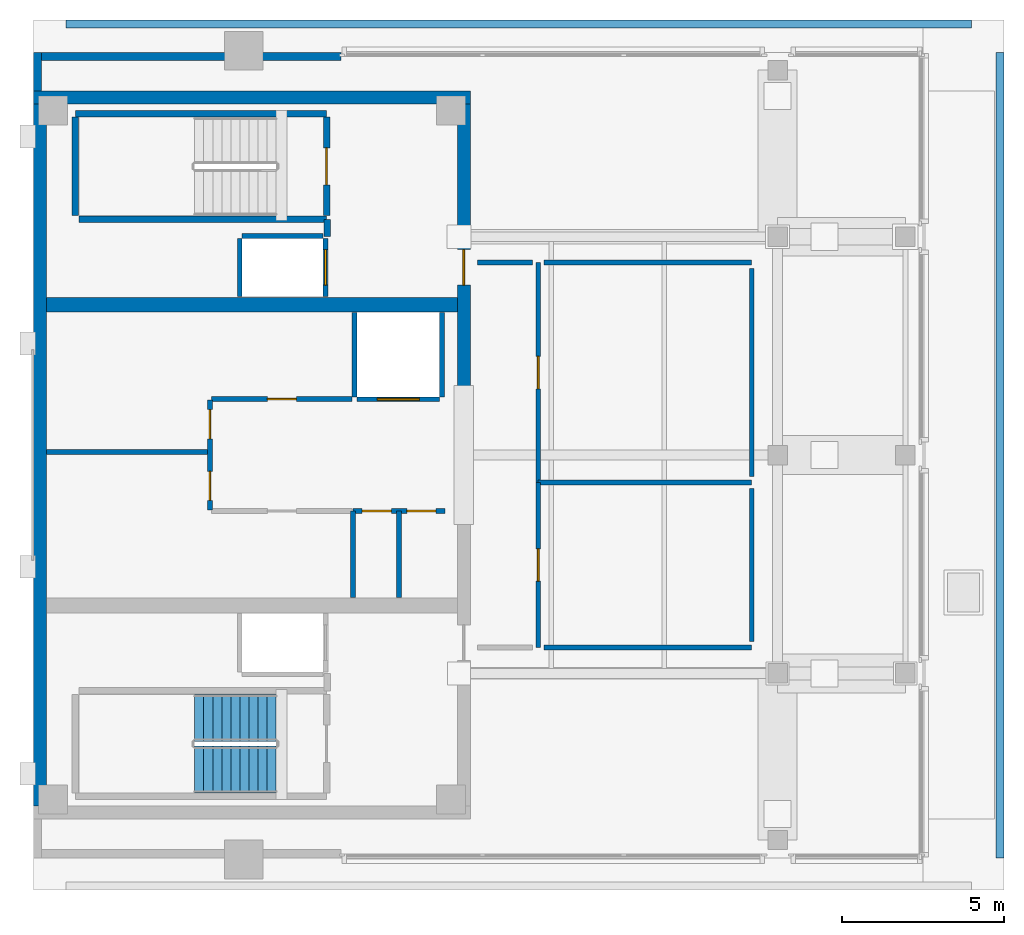
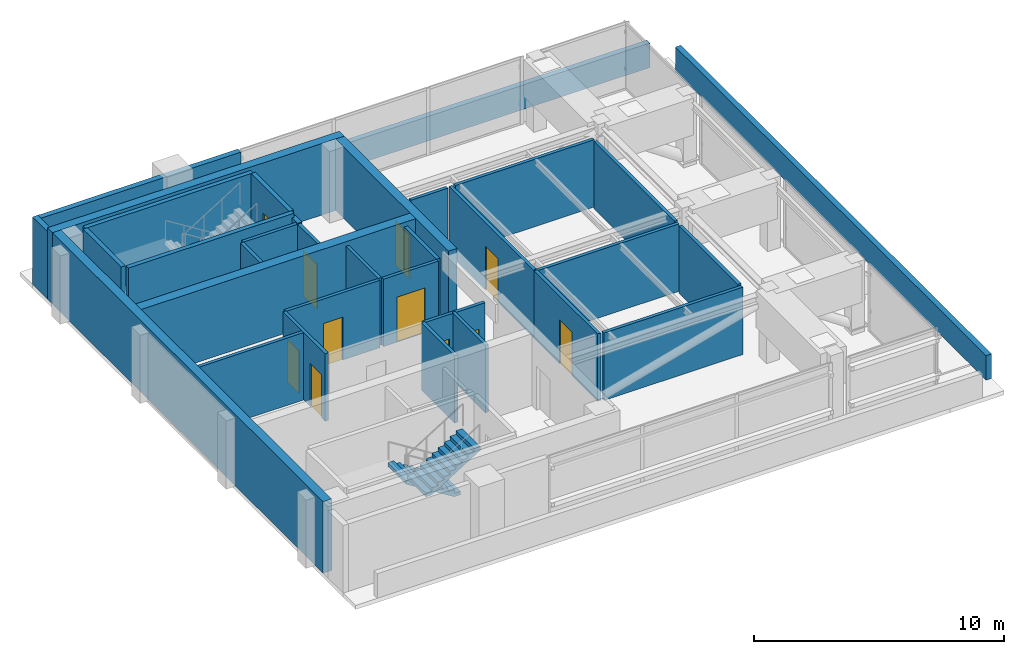
# One storey, part 5 of 9: 33 walls, 11 doors, 2 stair flights, 11 openings, 1 element without a shape of its own.
"""IFC4 building model written with IfcOpenShell, lengths in metres."""

from ifc_helpers import new_model, si_unit, direction, frame, frame_2d, origin, place, context, subcontext, project, spatial, polyline, rectangle, outline, extrude, material, layer, layer_set, type_object, element, fill, aggregate, save


model = new_model("IFC4")

# Units and contexts
model_context = context("Model", 3, precision=1e-05, world=origin(), true_north=direction((0.0, 1.0)))
body_context = subcontext(model_context, "Body", "Model", "MODEL_VIEW")
ifc_project = project(units=[si_unit("LENGTHUNIT", "METRE"), si_unit("AREAUNIT", "SQUARE_METRE"), si_unit("VOLUMEUNIT", "CUBIC_METRE"), si_unit("PLANEANGLEUNIT", "RADIAN"), si_unit("MASSUNIT", "GRAM", prefix="KILO")], contexts=[model_context])

# Site, building, storey
site_placement = place(None, origin())
site = spatial("IfcSite", under=ifc_project, at=site_placement, CompositionType="ELEMENT")
building_placement = place(site_placement, origin())
building = spatial("IfcBuilding", under=site, at=building_placement, Name="Kinhvarn Gate Tower", CompositionType="ELEMENT")
storey_placement = place(building_placement, frame((0.0, 0.0, 318.050048828125)))
storey = spatial("IfcBuildingStorey", under=building, at=storey_placement, Name="L84", CompositionType="ELEMENT", Elevation=318.050048828125)

# Wall
ifc_material_1 = material(Name="Concrete C50/60", Category="concrete")
ifc_layer_1 = layer(ifc_material_1, 0.39990234375)
ifc_layer_set_1 = layer_set([ifc_layer_1], Name="Concrete C50/60")
wall_type_1 = type_object("IfcWallType", Name="WL-CORE-400", PredefinedType="SHEAR", material=ifc_layer_set_1)
wall_1_placement = place(storey_placement, frame((4.5, 36.300048828125, 0.0), z_axis=(0.0, 0.0, 1.0), x_axis=(1.0, 0.0, 0.0)))
element("IfcWall", 1, at=wall_1_placement, inside=storey, type_object=wall_type_1, Name="Core North Shear Wall L84 400 mm", PredefinedType="SHEAR", context=body_context, shape_type="SweptSolid", body=[
    extrude(rectangle(XDim=13.5, YDim=0.39990234375, at=frame_2d((6.75, 0.0))), origin(), (0.0, 0.0, 1.0), 3.5),
])

# Wall, opening, door
wall_2_placement = place(storey_placement, frame((17.800048828125, 27.050048828125, 0.0), z_axis=(0.0, 0.0, 1.0), x_axis=(0.0, 1.0, 0.0)))
wall_2 = element("IfcWall", 2, at=wall_2_placement, inside=storey, type_object=wall_type_1, Name="Core East-North Shear Pier L84 400 mm", PredefinedType="SHEAR", context=body_context, shape_type="SweptSolid", body=[
    extrude(rectangle(XDim=9.050048828125, YDim=0.39990234375, at=frame_2d((4.52490234375, 0.0))), origin(), (0.0, 0.0, 1.0), 3.5),
])
opening_1_placement = place(wall_2_placement, frame((3.449951171875, 0.0, 0.0)))
opening_1 = element("IfcOpeningElement", 3, at=opening_1_placement, cuts=wall_2, Name="Opening FD-02", PredefinedType="OPENING", context=body_context, shape_type="SweptSolid", body=[
    extrude(rectangle(XDim=1.10009765625, YDim=2.14990234375, at=frame_2d((0.550048828125, 1.074951171875))), frame((0.0, 0.2099609375, 0.0), z_axis=(0.0, -1.0, 0.0), x_axis=(1.0, 0.0, 0.0)), (0.0, 0.0, 1.0), 0.419921875),
])
ifc_material_2 = material(Name="Anodised aluminium AW-6063", Category="aluminium")
door_type_1 = type_object("IfcDoorType", Name="DR-FD-1100", OperationType="NOTDEFINED", PredefinedType="DOOR", material=ifc_material_2)
door_1_placement = place(opening_1_placement, origin())
door_1 = element("IfcDoor", 4, at=door_1_placement, inside=storey, type_object=door_type_1, Name="Firefighting Lobby Core Door (L84)", OperationType="SINGLE_SWING_LEFT", OverallHeight=2.14990234375, OverallWidth=1.10009765625, PredefinedType="DOOR", context=body_context, shape_type="SweptSolid", body=[
    extrude(rectangle(XDim=1.10009765625, YDim=2.14990234375, at=frame_2d((0.550048828125, 1.074951171875))), frame((0.0, 0.02490234375, 0.0), z_axis=(0.0, -1.0, 0.0), x_axis=(1.0, 0.0, 0.0)), (0.0, 0.0, 1.0), 0.050048828125),
])
fill(opening_1, door_1)

# Walls
ifc_layer_2 = layer(ifc_material_1, 0.449951171875)
ifc_layer_set_2 = layer_set([ifc_layer_2], Name="Concrete C50/60")
wall_type_2 = type_object("IfcWallType", Name="WL-CORE-450", PredefinedType="SHEAR", material=ifc_layer_set_2)
wall_3_placement = place(storey_placement, frame((4.89990234375, 29.89990234375, 0.0), z_axis=(0.0, 0.0, 1.0), x_axis=(1.0, 0.0, 0.0)))
element("IfcWall", 5, at=wall_3_placement, inside=storey, type_object=wall_type_2, Name="Core North Spine Shear Wall L84 450 mm", PredefinedType="SHEAR", context=body_context, shape_type="SweptSolid", body=[
    extrude(rectangle(XDim=12.7001953125, YDim=0.449951171875, at=frame_2d((6.35009765625, 0.0))), origin(), (0.0, 0.0, 1.0), 3.5),
])
ifc_layer_3 = layer(ifc_material_1, 0.39990234375)
ifc_layer_set_3 = layer_set([ifc_layer_3], Name="Concrete C50/60")
wall_type_3 = type_object("IfcWallType", Name="WL-COREX-400", PredefinedType="SHEAR", material=ifc_layer_set_3)
wall_4_placement = place(storey_placement, frame((4.699951171875, 14.39990234375, 0.0), z_axis=(0.0, 0.0, 1.0), x_axis=(0.0, 1.0, 0.0)))
element("IfcWall", 6, at=wall_4_placement, inside=storey, type_object=wall_type_3, Name="Core West Shear Wall L84 400 mm", PredefinedType="SHEAR", context=body_context, shape_type="SweptSolid", body=[
    extrude(rectangle(XDim=21.7001953125, YDim=0.39990234375, at=frame_2d((10.85009765625, 0.0))), origin(), (0.0, 0.0, 1.0), 3.5),
])
ifc_material_3 = material(Name="Fired architectural terracotta", Category="masonry")
ifc_layer_4 = layer(ifc_material_3, 0.25)
ifc_layer_set_4 = layer_set([ifc_layer_4], Name="Fired architectural terracotta")
wall_type_4 = type_object("IfcWallType", Name="WL-EXT-250", PredefinedType="SOLIDWALL", material=ifc_layer_set_4)
wall_5_placement = place(storey_placement, frame((4.625, 37.699951171875, 0.0), z_axis=(0.0, 0.0, 1.0), x_axis=(0.0, -1.0, 0.0)))
element("IfcWall", 7, at=wall_5_placement, inside=storey, type_object=wall_type_4, Name="Exterior Solidwall Wall EW-250 (L84 West-North)", PredefinedType="SOLIDWALL", context=body_context, shape_type="SweptSolid", body=[
    extrude(rectangle(XDim=1.199951171875, YDim=0.25, at=frame_2d((0.60009765625, 0.0))), origin(), (0.0, 0.0, 1.0), 3.300048828125),
])
wall_6_placement = place(storey_placement, frame((14.0, 37.574951171875, 0.0), z_axis=(0.0, 0.0, 1.0), x_axis=(-1.0, 0.0, 0.0)))
element("IfcWall", 8, at=wall_6_placement, inside=storey, type_object=wall_type_4, Name="Exterior Solidwall Wall EW-250 (L84 Crown-Core-N)", PredefinedType="SOLIDWALL", context=body_context, shape_type="SweptSolid", body=[
    extrude(rectangle(XDim=9.5, YDim=0.25, at=frame_2d((4.75, 0.0))), origin(), (0.0, 0.0, 1.0), 3.300048828125),
])
ifc_layer_5 = layer(ifc_material_3, 0.25)
ifc_layer_set_5 = layer_set([ifc_layer_5], Name="Fired architectural terracotta")
wall_type_5 = type_object("IfcWallType", Name="WL-PAR-250", PredefinedType="PARAPET", material=ifc_layer_set_5)
wall_7_placement = place(storey_placement, frame((34.375, 12.800048828125, 0.0), z_axis=(0.0, 0.0, 1.0), x_axis=(0.0, 1.0, 0.0)))
element("IfcWall", 9, at=wall_7_placement, inside=storey, type_object=wall_type_5, Name="Exterior Parapet Wall PRW-250 (L84 Crown-Step-Parapet-E)", PredefinedType="PARAPET", context=body_context, shape_type="SweptSolid", body=[
    extrude(rectangle(XDim=24.89990234375, YDim=0.25, at=frame_2d((12.449951171875, 0.0))), origin(), (0.0, 0.0, 1.0), 1.199951171875),
])
wall_8_placement = place(storey_placement, frame((33.5, 38.574951171875, 0.0), z_axis=(0.0, 0.0, 1.0), x_axis=(-1.0, 0.0, 0.0)))
element("IfcWall", 10, at=wall_8_placement, inside=storey, type_object=wall_type_5, Name="Exterior Parapet Wall PRW-250 (L84 Crown-Step-Parapet-N)", PredefinedType="PARAPET", context=body_context, shape_type="SweptSolid", body=[
    extrude(rectangle(XDim=28.0, YDim=0.25, at=frame_2d((14.0, 0.0))), origin(), (0.0, 0.0, 1.0), 1.199951171875),
])
ifc_material_4 = material(Name="Gypsum acoustic partition board")
ifc_layer_6 = layer(ifc_material_4, 0.14990234375)
ifc_layer_set_6 = layer_set([ifc_layer_6], Name="Gypsum acoustic partition board")
wall_type_6 = type_object("IfcWallType", Name="WL-PRT-150F", PredefinedType="PARTITIONING", material=ifc_layer_set_6)
wall_9_placement = place(storey_placement, frame((4.89990234375, 25.35009765625, 0.0), z_axis=(0.0, 0.0, 1.0), x_axis=(1.0, 0.0, 0.0)))
element("IfcWall", 11, at=wall_9_placement, inside=storey, type_object=wall_type_6, Name="Interior Partition PW-150F (L84)", PredefinedType="PARTITIONING", context=body_context, shape_type="SweptSolid", body=[
    extrude(rectangle(XDim=5.050048828125, YDim=0.14990234375, at=frame_2d((2.52490234375, 0.0))), origin(), (0.0, 0.0, 1.0), 3.300048828125),
])

# Wall, openings, doors
wall_10_placement = place(storey_placement, frame((9.949951171875, 23.550048828125, 0.0), z_axis=(0.0, 0.0, 1.0), x_axis=(0.0, 1.0, 0.0)))
wall_10 = element("IfcWall", 12, at=wall_10_placement, inside=storey, type_object=wall_type_6, Name="Interior Partition PW-150F (L84)", PredefinedType="PARTITIONING", context=body_context, shape_type="SweptSolid", body=[
    extrude(rectangle(XDim=3.39990234375, YDim=0.14990234375, at=frame_2d((1.699951171875, 0.0))), origin(), (0.0, 0.0, 1.0), 3.300048828125),
])
opening_2_placement = place(wall_10_placement, frame((0.298095703125, 0.0, 0.0)))
opening_2 = element("IfcOpeningElement", 13, at=opening_2_placement, cuts=wall_10, Name="Opening FD-04", PredefinedType="OPENING", context=body_context, shape_type="SweptSolid", body=[
    extrude(rectangle(XDim=0.89990234375, YDim=2.10009765625, at=frame_2d((0.449951171875, 1.050048828125))), frame((0.0, 0.0849609375, 0.0), z_axis=(0.0, -1.0, 0.0), x_axis=(1.0, 0.0, 0.0)), (0.0, 0.0, 1.0), 0.169921875),
])
opening_3_placement = place(wall_10_placement, frame((2.201904296875, 0.0, 0.0)))
opening_3 = element("IfcOpeningElement", 14, at=opening_3_placement, cuts=wall_10, Name="Opening FD-04", PredefinedType="OPENING", context=body_context, shape_type="SweptSolid", body=[
    extrude(rectangle(XDim=0.89990234375, YDim=2.10009765625, at=frame_2d((0.449951171875, 1.050048828125))), frame((0.0, 0.0849609375, 0.0), z_axis=(0.0, -1.0, 0.0), x_axis=(1.0, 0.0, 0.0)), (0.0, 0.0, 1.0), 0.169921875),
])
door_type_2 = type_object("IfcDoorType", Name="DR-FD-900", OperationType="NOTDEFINED", PredefinedType="DOOR", material=ifc_material_2)
door_2_placement = place(opening_2_placement, origin())
door_2 = element("IfcDoor", 15, at=door_2_placement, inside=storey, type_object=door_type_2, Name="Rated Riser & Service Closet Fire Door 900x2100 mm (L84)", OperationType="SINGLE_SWING_LEFT", OverallHeight=2.10009765625, OverallWidth=0.89990234375, PredefinedType="DOOR", context=body_context, shape_type="SweptSolid", body=[
    extrude(rectangle(XDim=0.89990234375, YDim=2.10009765625, at=frame_2d((0.449951171875, 1.050048828125))), frame((0.0, 0.02490234375, 0.0), z_axis=(0.0, -1.0, 0.0), x_axis=(1.0, 0.0, 0.0)), (0.0, 0.0, 1.0), 0.050048828125),
])
fill(opening_2, door_2)
door_3_placement = place(opening_3_placement, origin())
door_3 = element("IfcDoor", 16, at=door_3_placement, inside=storey, type_object=door_type_2, Name="Rated Riser & Service Closet Fire Door 900x2100 mm (L84)", OperationType="SINGLE_SWING_RIGHT", OverallHeight=2.10009765625, OverallWidth=0.89990234375, PredefinedType="DOOR", context=body_context, shape_type="SweptSolid", body=[
    extrude(rectangle(XDim=0.89990234375, YDim=2.10009765625, at=frame_2d((0.449951171875, 1.050048828125))), frame((0.0, 0.02490234375, 0.0), z_axis=(0.0, -1.0, 0.0), x_axis=(1.0, 0.0, 0.0)), (0.0, 0.0, 1.0), 0.050048828125),
])
fill(opening_3, door_3)

# Wall, opening, door
wall_11_placement = place(storey_placement, frame((10.0, 26.97998046875, 0.0), z_axis=(0.0, 0.0, 1.0), x_axis=(1.0, 0.0, 0.0)))
wall_11 = element("IfcWall", 17, at=wall_11_placement, inside=storey, type_object=wall_type_6, Name="Interior Partition PW-150F (L84)", PredefinedType="PARTITIONING", context=body_context, shape_type="SweptSolid", body=[
    extrude(rectangle(XDim=4.35009765625, YDim=0.14990234375, at=frame_2d((2.175048828125, 0.0))), origin(), (0.0, 0.0, 1.0), 3.300048828125),
])
opening_4_placement = place(wall_11_placement, frame((1.72509765625, 0.0, 0.0)))
opening_4 = element("IfcOpeningElement", 18, at=opening_4_placement, cuts=wall_11, Name="Opening FD-04", PredefinedType="OPENING", context=body_context, shape_type="SweptSolid", body=[
    extrude(rectangle(XDim=0.89990234375, YDim=2.10009765625, at=frame_2d((0.449951171875, 1.050048828125))), frame((0.0, 0.0849609375, 0.0), z_axis=(0.0, -1.0, 0.0), x_axis=(1.0, 0.0, 0.0)), (0.0, 0.0, 1.0), 0.169921875),
])
door_4_placement = place(opening_4_placement, origin())
door_4 = element("IfcDoor", 19, at=door_4_placement, inside=storey, type_object=door_type_2, Name="Rated Riser & Service Closet Fire Door 900x2100 mm (L84)", OperationType="SINGLE_SWING_RIGHT", OverallHeight=2.10009765625, OverallWidth=0.89990234375, PredefinedType="DOOR", context=body_context, shape_type="SweptSolid", body=[
    extrude(rectangle(XDim=0.89990234375, YDim=2.10009765625, at=frame_2d((0.449951171875, 1.050048828125))), frame((0.0, 0.02490234375, 0.0), z_axis=(0.0, -1.0, 0.0), x_axis=(1.0, 0.0, 0.0)), (0.0, 0.0, 1.0), 0.050048828125),
])
fill(opening_4, door_4)

# Walls
for number, where, z_axis, x_axis, name in (
    (20, (14.3798828125, 20.85009765625, 0.0), (0.0, 0.0, 1.0), (0.0, 1.0, 0.0), "Interior Partition PW-150F (L84)"),
    (21, (15.800048828125, 20.85009765625, 0.0), (0.0, 0.0, 1.0), (0.0, 1.0, 0.0), "Interior Partition PW-150F (L84)"),
):
    element("IfcWall", number, at=place(storey_placement, frame(where, z_axis=z_axis, x_axis=x_axis)), inside=storey, type_object=wall_type_6, Name=name, PredefinedType="PARTITIONING", context=body_context, shape_type="SweptSolid", body=[
        extrude(rectangle(XDim=2.669921875, YDim=0.14990234375, at=frame_2d((1.3349609375, 0.0))), origin(), (0.0, 0.0, 1.0), 3.300048828125),
    ])

# Wall, openings, doors
wall_12_placement = place(storey_placement, frame((14.3798828125, 23.52001953125, 0.0), z_axis=(0.0, 0.0, 1.0), x_axis=(1.0, 0.0, 0.0)))
wall_12 = element("IfcWall", 22, at=wall_12_placement, inside=storey, type_object=wall_type_6, Name="Interior Partition PW-150F (L84)", PredefinedType="PARTITIONING", context=body_context, shape_type="SweptSolid", body=[
    extrude(rectangle(XDim=2.840087890625, YDim=0.14990234375, at=frame_2d((1.419921875, 0.0))), origin(), (0.0, 0.0, 1.0), 3.300048828125),
])
opening_5_placement = place(wall_12_placement, frame((0.280029296875, 0.0, 0.0)))
opening_5 = element("IfcOpeningElement", 23, at=opening_5_placement, cuts=wall_12, Name="Opening FD-04", PredefinedType="OPENING", context=body_context, shape_type="SweptSolid", body=[
    extrude(rectangle(XDim=0.89990234375, YDim=2.10009765625, at=frame_2d((0.449951171875, 1.050048828125))), frame((0.0, 0.0849609375, 0.0), z_axis=(0.0, -1.0, 0.0), x_axis=(1.0, 0.0, 0.0)), (0.0, 0.0, 1.0), 0.169921875),
])
opening_6_placement = place(wall_12_placement, frame((1.659912109375, 0.0, 0.0)))
opening_6 = element("IfcOpeningElement", 24, at=opening_6_placement, cuts=wall_12, Name="Opening FD-04", PredefinedType="OPENING", context=body_context, shape_type="SweptSolid", body=[
    extrude(rectangle(XDim=0.89990234375, YDim=2.10009765625, at=frame_2d((0.449951171875, 1.050048828125))), frame((0.0, 0.0849609375, 0.0), z_axis=(0.0, -1.0, 0.0), x_axis=(1.0, 0.0, 0.0)), (0.0, 0.0, 1.0), 0.169921875),
])
door_5_placement = place(opening_5_placement, origin())
door_5 = element("IfcDoor", 25, at=door_5_placement, inside=storey, type_object=door_type_2, Name="Rated Riser & Service Closet Fire Door 900x2100 mm (L84)", OperationType="SINGLE_SWING_LEFT", OverallHeight=2.10009765625, OverallWidth=0.89990234375, PredefinedType="DOOR", context=body_context, shape_type="SweptSolid", body=[
    extrude(rectangle(XDim=0.89990234375, YDim=2.10009765625, at=frame_2d((0.449951171875, 1.050048828125))), frame((0.0, 0.02490234375, 0.0), z_axis=(0.0, -1.0, 0.0), x_axis=(1.0, 0.0, 0.0)), (0.0, 0.0, 1.0), 0.050048828125),
])
fill(opening_5, door_5)
door_6_placement = place(opening_6_placement, origin())
door_6 = element("IfcDoor", 26, at=door_6_placement, inside=storey, type_object=door_type_2, Name="Rated Riser & Service Closet Fire Door 900x2100 mm (L84)", OperationType="SINGLE_SWING_RIGHT", OverallHeight=2.10009765625, OverallWidth=0.89990234375, PredefinedType="DOOR", context=body_context, shape_type="SweptSolid", body=[
    extrude(rectangle(XDim=0.89990234375, YDim=2.10009765625, at=frame_2d((0.449951171875, 1.050048828125))), frame((0.0, 0.02490234375, 0.0), z_axis=(0.0, -1.0, 0.0), x_axis=(1.0, 0.0, 0.0)), (0.0, 0.0, 1.0), 0.050048828125),
])
fill(opening_6, door_6)

# Wall, opening, door
wall_13_placement = place(storey_placement, frame((20.10009765625, 19.300048828125, 0.0), z_axis=(0.0, 0.0, 1.0), x_axis=(0.0, 1.0, 0.0)))
wall_13 = element("IfcWall", 27, at=wall_13_placement, inside=storey, type_object=wall_type_6, Name="Interior Partition PW-150F (L84)", PredefinedType="PARTITIONING", context=body_context, shape_type="SweptSolid", body=[
    extrude(rectangle(XDim=5.099853515625, YDim=0.14990234375, at=frame_2d((2.5498046875, 0.0))), origin(), (0.0, 0.0, 1.0), 3.300048828125),
])
opening_7_placement = place(wall_13_placement, frame((2.050048828125, 0.0, 0.0)))
opening_7 = element("IfcOpeningElement", 28, at=opening_7_placement, cuts=wall_13, Name="Opening FD-03", PredefinedType="OPENING", context=body_context, shape_type="SweptSolid", body=[
    extrude(rectangle(XDim=1.0, YDim=2.14990234375, at=frame_2d((0.5, 1.074951171875))), frame((0.0, 0.0849609375, 0.0), z_axis=(0.0, -1.0, 0.0), x_axis=(1.0, 0.0, 0.0)), (0.0, 0.0, 1.0), 0.169921875),
])
door_type_3 = type_object("IfcDoorType", Name="DR-FD-1000", OperationType="NOTDEFINED", PredefinedType="DOOR", material=ifc_material_2)
door_7_placement = place(opening_7_placement, origin())
door_7 = element("IfcDoor", 29, at=door_7_placement, inside=storey, type_object=door_type_3, Name="Rated Plant & Corridor Fire Door 1000x2150 mm (L84)", OperationType="SINGLE_SWING_LEFT", OverallHeight=2.14990234375, OverallWidth=1.0, PredefinedType="DOOR", context=body_context, shape_type="SweptSolid", body=[
    extrude(rectangle(XDim=1.0, YDim=2.14990234375, at=frame_2d((0.5, 1.074951171875))), frame((0.0, 0.02490234375, 0.0), z_axis=(0.0, -1.0, 0.0), x_axis=(1.0, 0.0, 0.0)), (0.0, 0.0, 1.0), 0.050048828125),
])
fill(opening_7, door_7)

wall_14_placement = place(storey_placement, frame((20.10009765625, 24.39990234375, 0.0), z_axis=(0.0, 0.0, 1.0), x_axis=(0.0, 1.0, 0.0)))
wall_14 = element("IfcWall", 30, at=wall_14_placement, inside=storey, type_object=wall_type_6, Name="Interior Partition PW-150F (L84)", PredefinedType="PARTITIONING", context=body_context, shape_type="SweptSolid", body=[
    extrude(rectangle(XDim=6.800048828125, YDim=0.14990234375, at=frame_2d((3.39990234375, 0.0))), origin(), (0.0, 0.0, 1.0), 3.300048828125),
])
opening_8_placement = place(wall_14_placement, frame((2.89990234375, 0.0, 0.0)))
opening_8 = element("IfcOpeningElement", 31, at=opening_8_placement, cuts=wall_14, Name="Opening FD-03", PredefinedType="OPENING", context=body_context, shape_type="SweptSolid", body=[
    extrude(rectangle(XDim=1.0, YDim=2.14990234375, at=frame_2d((0.5, 1.074951171875))), frame((0.0, 0.0849609375, 0.0), z_axis=(0.0, -1.0, 0.0), x_axis=(1.0, 0.0, 0.0)), (0.0, 0.0, 1.0), 0.169921875),
])
door_8_placement = place(opening_8_placement, origin())
door_8 = element("IfcDoor", 32, at=door_8_placement, inside=storey, type_object=door_type_3, Name="Rated Plant & Corridor Fire Door 1000x2150 mm (L84)", OperationType="SINGLE_SWING_RIGHT", OverallHeight=2.14990234375, OverallWidth=1.0, PredefinedType="DOOR", context=body_context, shape_type="SweptSolid", body=[
    extrude(rectangle(XDim=1.0, YDim=2.14990234375, at=frame_2d((0.5, 1.074951171875))), frame((0.0, 0.02490234375, 0.0), z_axis=(0.0, -1.0, 0.0), x_axis=(1.0, 0.0, 0.0)), (0.0, 0.0, 1.0), 0.050048828125),
])
fill(opening_8, door_8)

# Walls
wall_15_placement = place(storey_placement, frame((20.10009765625, 24.39990234375, 0.0), z_axis=(0.0, 0.0, 1.0), x_axis=(1.0, 0.0, 0.0)))
element("IfcWall", 33, at=wall_15_placement, inside=storey, type_object=wall_type_6, Name="Interior Partition PW-150F (L84)", PredefinedType="PARTITIONING", context=body_context, shape_type="SweptSolid", body=[
    extrude(rectangle(XDim=6.599853515625, YDim=0.14990234375, at=frame_2d((3.2998046875, 0.0))), origin(), (0.0, 0.0, 1.0), 3.300048828125),
])
wall_16_placement = place(storey_placement, frame((26.699951171875, 19.300048828125, 0.0), z_axis=(0.0, 0.0, 1.0), x_axis=(-1.0, 0.0, 0.0)))
element("IfcWall", 34, at=wall_16_placement, inside=storey, type_object=wall_type_6, Name="Interior Partition PW-150F (L84)", PredefinedType="PARTITIONING", context=body_context, shape_type="SweptSolid", body=[
    extrude(rectangle(XDim=6.419921875, YDim=0.14990234375, at=frame_2d((3.2099609375, 0.0))), origin(), (0.0, 0.0, 1.0), 3.300048828125),
])
wall_17_placement = place(storey_placement, frame((18.219970703125, 31.199951171875, 0.0), z_axis=(0.0, 0.0, 1.0), x_axis=(1.0, 0.0, 0.0)))
element("IfcWall", 35, at=wall_17_placement, inside=storey, type_object=wall_type_6, Name="Interior Partition PW-150F (L84)", PredefinedType="PARTITIONING", context=body_context, shape_type="SweptSolid", body=[
    extrude(rectangle(XDim=1.699951171875, YDim=0.14990234375, at=frame_2d((0.85009765625, 0.0))), origin(), (0.0, 0.0, 1.0), 3.300048828125),
])
wall_18_placement = place(storey_placement, frame((20.280029296875, 31.199951171875, 0.0), z_axis=(0.0, 0.0, 1.0), x_axis=(1.0, 0.0, 0.0)))
element("IfcWall", 36, at=wall_18_placement, inside=storey, type_object=wall_type_6, Name="Interior Partition PW-150F (L84)", PredefinedType="PARTITIONING", context=body_context, shape_type="SweptSolid", body=[
    extrude(rectangle(XDim=6.419921875, YDim=0.14990234375, at=frame_2d((3.2099609375, 0.0))), origin(), (0.0, 0.0, 1.0), 3.300048828125),
])
wall_19_placement = place(storey_placement, frame((26.699951171875, 31.02001953125, 0.0), z_axis=(0.0, 0.0, 1.0), x_axis=(0.0, -1.0, 0.0)))
element("IfcWall", 37, at=wall_19_placement, inside=storey, type_object=wall_type_6, Name="Interior Partition PW-150F (L84)", PredefinedType="PARTITIONING", context=body_context, shape_type="SweptSolid", body=[
    extrude(rectangle(XDim=6.43994140625, YDim=0.14990234375, at=frame_2d((3.219970703125, 0.0))), origin(), (0.0, 0.0, 1.0), 3.300048828125),
])
wall_20_placement = place(storey_placement, frame((26.699951171875, 24.219970703125, 0.0), z_axis=(0.0, 0.0, 1.0), x_axis=(0.0, -1.0, 0.0)))
element("IfcWall", 38, at=wall_20_placement, inside=storey, type_object=wall_type_6, Name="Interior Partition PW-150F (L84)", PredefinedType="PARTITIONING", context=body_context, shape_type="SweptSolid", body=[
    extrude(rectangle(XDim=4.739990234375, YDim=0.14990234375, at=frame_2d((2.3701171875, 0.0))), origin(), (0.0, 0.0, 1.0), 3.300048828125),
])
ifc_layer_7 = layer(ifc_material_4, 0.199951171875)
ifc_layer_set_7 = layer_set([ifc_layer_7], Name="Gypsum acoustic partition board")
wall_type_7 = type_object("IfcWallType", Name="WL-PRT-200", PredefinedType="PARTITIONING", material=ifc_layer_set_7)
wall_21_placement = place(storey_placement, frame((13.580078125, 32.0, 0.0), z_axis=(0.0, 0.0, 1.0), x_axis=(0.0, 1.0, 0.0)))
element("IfcWall", 39, at=wall_21_placement, inside=storey, type_object=wall_type_7, Name="Interior Partition PW-200 (L84)", PredefinedType="PARTITIONING", context=body_context, shape_type="SweptSolid", body=[
    extrude(rectangle(XDim=0.5400390625, YDim=0.199951171875, at=frame_2d((0.27001953125, 0.0))), origin(), (0.0, 0.0, 1.0), 3.300048828125),
])

# Wall, opening, door
ifc_layer_8 = layer(ifc_material_4, 0.14990234375)
ifc_layer_set_8 = layer_set([ifc_layer_8], Name="Gypsum acoustic partition board")
wall_type_8 = type_object("IfcWallType", Name="WL-SHF-150", PredefinedType="PARTITIONING", material=ifc_layer_set_8)
wall_22_placement = place(storey_placement, frame((14.5, 26.97509765625, 0.0), z_axis=(0.0, 0.0, 1.0), x_axis=(1.0, 0.0, 0.0)))
wall_22 = element("IfcWall", 40, at=wall_22_placement, inside=storey, type_object=wall_type_8, Name="Elevator SV-01 Landing Wall (L84)", PredefinedType="PARTITIONING", context=body_context, shape_type="SweptSolid", body=[
    extrude(rectangle(XDim=2.550048828125, YDim=0.14990234375, at=frame_2d((1.27490234375, 0.0))), origin(), (0.0, 0.0, 1.0), 3.300048828125),
])
opening_9_placement = place(wall_22_placement, frame((0.625, 0.0, 0.0)))
opening_9 = element("IfcOpeningElement", 41, at=opening_9_placement, cuts=wall_22, Name="Opening LD-02", PredefinedType="OPENING", context=body_context, shape_type="SweptSolid", body=[
    extrude(rectangle(XDim=1.300048828125, YDim=2.199951171875, at=frame_2d((0.64990234375, 1.10009765625))), frame((0.0, 0.0849609375, 0.0), z_axis=(0.0, -1.0, 0.0), x_axis=(1.0, 0.0, 0.0)), (0.0, 0.0, 1.0), 0.169921875),
])
door_type_4 = type_object("IfcDoorType", Name="DR-LND-SRV", OperationType="NOTDEFINED", PredefinedType="DOOR", material=ifc_material_2)
door_9_placement = place(opening_9_placement, origin())
door_9 = element("IfcDoor", 42, at=door_9_placement, inside=storey, type_object=door_type_4, Name="Elevator SV-01 Sliding Landing Door (L84)", OperationType="DOUBLE_DOOR_SLIDING", OverallHeight=2.199951171875, OverallWidth=1.300048828125, PredefinedType="DOOR", context=body_context, shape_type="SweptSolid", body=[
    extrude(rectangle(XDim=1.300048828125, YDim=2.199951171875, at=frame_2d((0.64990234375, 1.10009765625))), frame((0.0, 0.02490234375, 0.0), z_axis=(0.0, -1.0, 0.0), x_axis=(1.0, 0.0, 0.0)), (0.0, 0.0, 1.0), 0.050048828125),
])
fill(opening_9, door_9)

# Walls
for number, where, z_axis, x_axis, name in (
    (43, (14.425048828125, 27.050048828125, 0.0), (0.0, 0.0, 1.0), (0.0, 1.0, 0.0), "Elevator SV-01 Hoistway Wall W (L84)"),
    (44, (17.125, 27.050048828125, 0.0), (0.0, 0.0, 1.0), (0.0, 1.0, 0.0), "Elevator SV-01 Hoistway Wall E (L84)"),
):
    element("IfcWall", number, at=place(storey_placement, frame(where, z_axis=z_axis, x_axis=x_axis)), inside=storey, type_object=wall_type_8, Name=name, PredefinedType="PARTITIONING", context=body_context, shape_type="SweptSolid", body=[
        extrude(rectangle(XDim=2.599853515625, YDim=0.14990234375, at=frame_2d((1.2998046875, 0.0))), origin(), (0.0, 0.0, 1.0), 3.300048828125),
    ])
wall_23_placement = place(storey_placement, frame((10.949951171875, 32.02490234375, 0.0), z_axis=(0.0, 0.0, 1.0), x_axis=(1.0, 0.0, 0.0)))
element("IfcWall", 45, at=wall_23_placement, inside=storey, type_object=wall_type_8, Name="Elevator FF2 Hoistway Wall N (L84)", PredefinedType="PARTITIONING", context=body_context, shape_type="SweptSolid", body=[
    extrude(rectangle(XDim=2.5, YDim=0.14990234375, at=frame_2d((1.25, 0.0))), origin(), (0.0, 0.0, 1.0), 3.300048828125),
])
wall_24_placement = place(storey_placement, frame((10.875, 30.14990234375, 0.0), z_axis=(0.0, 0.0, 1.0), x_axis=(0.0, 1.0, 0.0)))
element("IfcWall", 46, at=wall_24_placement, inside=storey, type_object=wall_type_8, Name="Elevator FF2 Hoistway Wall W (L84)", PredefinedType="PARTITIONING", context=body_context, shape_type="SweptSolid", body=[
    extrude(rectangle(XDim=1.800048828125, YDim=0.14990234375, at=frame_2d((0.89990234375, 0.0))), origin(), (0.0, 0.0, 1.0), 3.300048828125),
])

# Wall, opening, door
wall_25_placement = place(storey_placement, frame((13.52490234375, 30.14990234375, 0.0), z_axis=(0.0, 0.0, 1.0), x_axis=(0.0, 1.0, 0.0)))
wall_25 = element("IfcWall", 47, at=wall_25_placement, inside=storey, type_object=wall_type_8, Name="Elevator FF2 Landing Wall (L84)", PredefinedType="PARTITIONING", context=body_context, shape_type="SweptSolid", body=[
    extrude(rectangle(XDim=1.800048828125, YDim=0.14990234375, at=frame_2d((0.89990234375, 0.0))), origin(), (0.0, 0.0, 1.0), 3.300048828125),
])
opening_10_placement = place(wall_25_placement, frame((0.35009765625, 0.0, 0.0)))
opening_10 = element("IfcOpeningElement", 48, at=opening_10_placement, cuts=wall_25, Name="Opening LD-03", PredefinedType="OPENING", context=body_context, shape_type="SweptSolid", body=[
    extrude(rectangle(XDim=1.10009765625, YDim=2.199951171875, at=frame_2d((0.550048828125, 1.10009765625))), frame((0.0, 0.0849609375, 0.0), z_axis=(0.0, -1.0, 0.0), x_axis=(1.0, 0.0, 0.0)), (0.0, 0.0, 1.0), 0.169921875),
])
door_type_5 = type_object("IfcDoorType", Name="DR-LND-FF", OperationType="NOTDEFINED", PredefinedType="DOOR", material=ifc_material_2)
door_10_placement = place(opening_10_placement, origin())
door_10 = element("IfcDoor", 49, at=door_10_placement, inside=storey, type_object=door_type_5, Name="Elevator FF2 Sliding Landing Door (L84)", OperationType="DOUBLE_DOOR_SLIDING", OverallHeight=2.199951171875, OverallWidth=1.10009765625, PredefinedType="DOOR", context=body_context, shape_type="SweptSolid", body=[
    extrude(rectangle(XDim=1.10009765625, YDim=2.199951171875, at=frame_2d((0.550048828125, 1.10009765625))), frame((0.0, 0.02490234375, 0.0), z_axis=(0.0, -1.0, 0.0), x_axis=(1.0, 0.0, 0.0)), (0.0, 0.0, 1.0), 0.050048828125),
])
fill(opening_10, door_10)

# Walls
ifc_material_5 = material(Name="Concrete C40/50", Category="concrete")
ifc_layer_9 = layer(ifc_material_5, 0.199951171875)
ifc_layer_set_9 = layer_set([ifc_layer_9], Name="Concrete C40/50")
wall_type_9 = type_object("IfcWallType", Name="WL-SHF-200", PredefinedType="SOLIDWALL", material=ifc_layer_set_9)
wall_26_placement = place(storey_placement, frame((5.800048828125, 35.800048828125, 0.0), z_axis=(0.0, 0.0, 1.0), x_axis=(1.0, 0.0, 0.0)))
element("IfcWall", 50, at=wall_26_placement, inside=storey, type_object=wall_type_9, Name="Stair ST2 North Shaft Wall (L84)", PredefinedType="SOLIDWALL", context=body_context, shape_type="SweptSolid", body=[
    extrude(rectangle(XDim=7.75, YDim=0.199951171875, at=frame_2d((3.875, 0.0))), origin(), (0.0, 0.0, 1.0), 3.5),
])
wall_27_placement = place(storey_placement, frame((5.7900390625, 32.64990234375, 0.0), z_axis=(0.0, 0.0, 1.0), x_axis=(0.0, 1.0, 0.0)))
element("IfcWall", 51, at=wall_27_placement, inside=storey, type_object=wall_type_9, Name="Stair ST2 West Shaft Wall (L84)", PredefinedType="SOLIDWALL", context=body_context, shape_type="SweptSolid", body=[
    extrude(rectangle(XDim=3.050048828125, YDim=0.199951171875, at=frame_2d((1.52490234375, 0.0))), origin(), (0.0, 0.0, 1.0), 3.5),
])
wall_28_placement = place(storey_placement, frame((5.89990234375, 32.5400390625, 0.0), z_axis=(0.0, 0.0, 1.0), x_axis=(1.0, 0.0, 0.0)))
element("IfcWall", 52, at=wall_28_placement, inside=storey, type_object=wall_type_9, Name="Stair ST2 South Shaft Wall (L84)", PredefinedType="SOLIDWALL", context=body_context, shape_type="SweptSolid", body=[
    extrude(rectangle(XDim=7.66015625, YDim=0.199951171875, at=frame_2d((3.830078125, 0.0))), origin(), (0.0, 0.0, 1.0), 3.5),
])

# Wall, opening, door
wall_29_placement = place(storey_placement, frame((13.56005859375, 32.64990234375, 0.0), z_axis=(0.0, 0.0, 1.0), x_axis=(0.0, 1.0, 0.0)))
wall_29 = element("IfcWall", 53, at=wall_29_placement, inside=storey, type_object=wall_type_9, Name="Stair ST2 East Entry Wall (L84)", PredefinedType="SOLIDWALL", context=body_context, shape_type="SweptSolid", body=[
    extrude(rectangle(XDim=3.050048828125, YDim=0.199951171875, at=frame_2d((1.52490234375, 0.0))), origin(), (0.0, 0.0, 1.0), 3.5),
])
opening_11_placement = place(wall_29_placement, frame((0.949951171875, 0.0, 0.0)))
opening_11 = element("IfcOpeningElement", 54, at=opening_11_placement, cuts=wall_29, Name="Opening FD-01", PredefinedType="OPENING", context=body_context, shape_type="SweptSolid", body=[
    extrude(rectangle(XDim=1.14990234375, YDim=2.14990234375, at=frame_2d((0.574951171875, 1.074951171875))), frame((0.0, 0.10986328125, 0.0), z_axis=(0.0, -1.0, 0.0), x_axis=(1.0, 0.0, 0.0)), (0.0, 0.0, 1.0), 0.219970703125),
])
door_type_6 = type_object("IfcDoorType", Name="DR-ST-1150", OperationType="NOTDEFINED", PredefinedType="DOOR", material=ifc_material_2)
door_11_placement = place(opening_11_placement, origin())
door_11 = element("IfcDoor", 55, at=door_11_placement, inside=storey, type_object=door_type_6, Name="Exit Stair ST2 Fire Door (L84)", OperationType="SINGLE_SWING_LEFT", OverallHeight=2.14990234375, OverallWidth=1.14990234375, PredefinedType="DOOR", context=body_context, shape_type="SweptSolid", body=[
    extrude(rectangle(XDim=1.14990234375, YDim=2.14990234375, at=frame_2d((0.574951171875, 1.074951171875))), frame((0.0, 0.02490234375, 0.0), z_axis=(0.0, -1.0, 0.0), x_axis=(1.0, 0.0, 0.0)), (0.0, 0.0, 1.0), 0.050048828125),
])
fill(opening_11, door_11)

# Stair, stair flights
stair_type = type_object("IfcStairType", Name="STR-DLG-175", PredefinedType="HALF_TURN_STAIR", material=ifc_material_5)
stair_placement = place(storey_placement, origin())
stair = element("IfcStair", 56, at=stair_placement, inside=storey, type_object=stair_type, Name="L84 Core Smokeproof Exit Stair ST1", PredefinedType="HALF_TURN_STAIR")
stair_flight_type = type_object("IfcStairFlightType", Name="STF-DLG-175", PredefinedType="STRAIGHT", material=ifc_material_5)
stair_flight_1_placement = place(storey_placement, frame((12.0, 17.125, 0.0), z_axis=(0.0, 0.0, 1.0), x_axis=(-1.0, 0.0, 0.0)))
stair_flight_1 = element("IfcStairFlight", 57, at=stair_flight_1_placement, type_object=stair_flight_type, Name="ST1 flight 1", NumberOfRisers=10, NumberOfTreads=9, PredefinedType="STRAIGHT", RiserHeight=0.175, TreadLength=0.28, context=body_context, shape_type="SweptSolid", body=[
    extrude(outline(polyline([(0.0, 0.0), (0.0, 0.175048828125), (0.280029296875, 0.175048828125), (0.280029296875, 0.35009765625), (0.56005859375, 0.35009765625), (0.56005859375, 0.52490234375), (0.840087890625, 0.52490234375), (0.840087890625, 0.699951171875), (1.1201171875, 0.699951171875), (1.1201171875, 0.875), (1.39990234375, 0.875), (1.39990234375, 1.050048828125), (1.679931640625, 1.050048828125), (1.679931640625, 1.22509765625), (1.9599609375, 1.22509765625), (1.9599609375, 1.39990234375), (2.239990234375, 1.39990234375), (2.239990234375, 1.574951171875), (2.52001953125, 1.574951171875), (2.52001953125, 1.75), (2.52001953125, 1.398193359375), (0.28271484375, 0.0), (0.0, 0.0)])), frame((0.0, 0.72509765625, 0.0), z_axis=(0.0, -1.0, 0.0), x_axis=(1.0, 0.0, 0.0)), (0.0, 0.0, 1.0), 1.449951171875),
])
stair_flight_2_placement = place(storey_placement, frame((9.47998046875, 15.52490234375, 1.75), z_axis=(0.0, 0.0, 1.0), x_axis=(1.0, 0.0, 0.0)))
stair_flight_2 = element("IfcStairFlight", 58, at=stair_flight_2_placement, type_object=stair_flight_type, Name="ST1 flight 2", NumberOfRisers=10, NumberOfTreads=9, PredefinedType="STRAIGHT", RiserHeight=0.175, TreadLength=0.28, context=body_context, shape_type="SweptSolid", body=[
    extrude(outline(polyline([(0.0, 0.0), (0.0, 0.175048828125), (0.280029296875, 0.175048828125), (0.280029296875, 0.35009765625), (0.56005859375, 0.35009765625), (0.56005859375, 0.52490234375), (0.840087890625, 0.52490234375), (0.840087890625, 0.699951171875), (1.1201171875, 0.699951171875), (1.1201171875, 0.875), (1.39990234375, 0.875), (1.39990234375, 1.050048828125), (1.679931640625, 1.050048828125), (1.679931640625, 1.22509765625), (1.9599609375, 1.22509765625), (1.9599609375, 1.39990234375), (2.239990234375, 1.39990234375), (2.239990234375, 1.574951171875), (2.52001953125, 1.574951171875), (2.52001953125, 1.75), (2.52001953125, 1.398193359375), (0.28271484375, 0.0), (0.0, 0.0)])), frame((0.0, 0.72509765625, 0.0), z_axis=(0.0, -1.0, 0.0), x_axis=(1.0, 0.0, 0.0)), (0.0, 0.0, 1.0), 1.449951171875),
])
aggregate(stair, [stair_flight_1, stair_flight_2])

save(model, "model.ifc")
